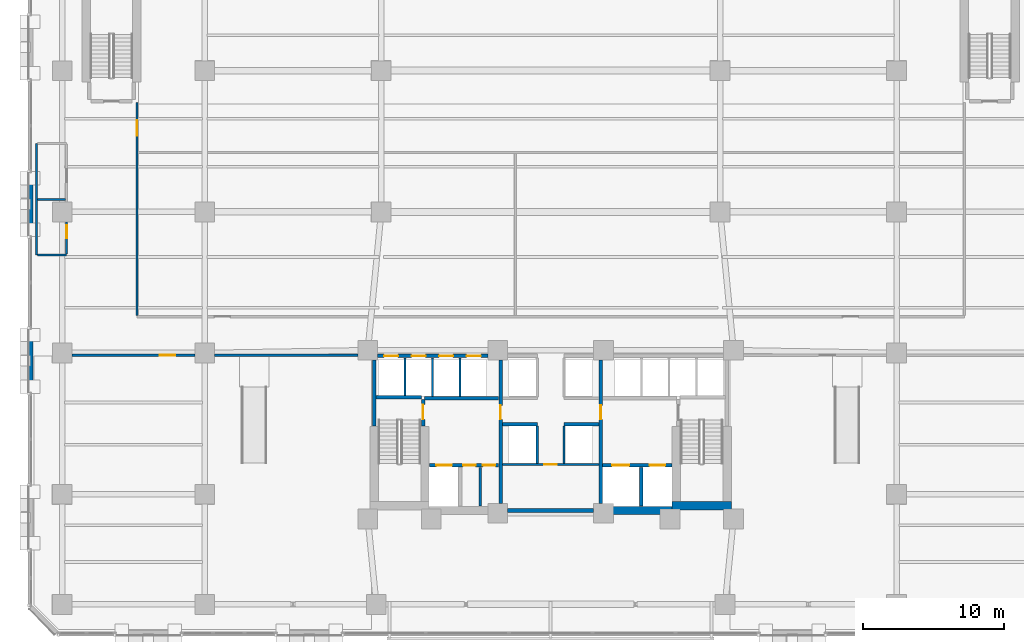
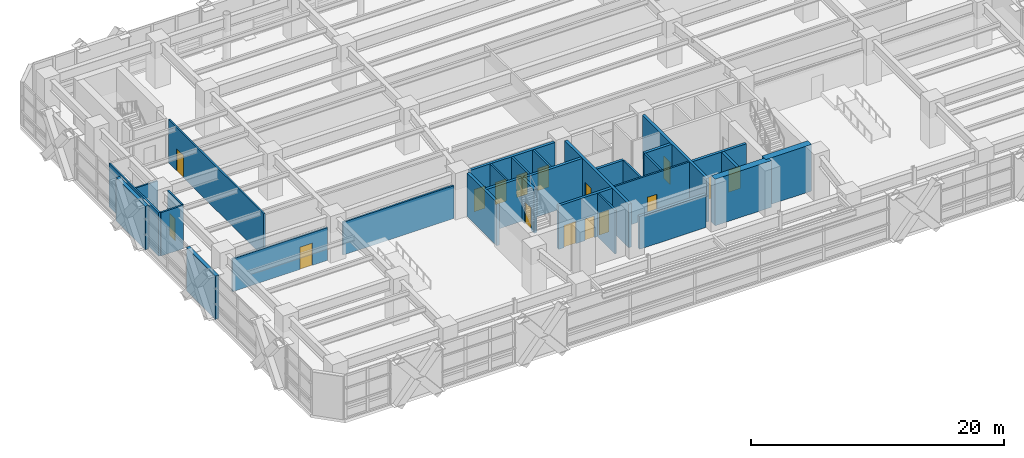
# One storey, part 17 of 30: 31 walls, 16 doors, 16 openings.
"""IFC4 building model written with IfcOpenShell, lengths in metres."""

from ifc_helpers import new_model, si_unit, direction, frame, frame_2d, origin, place, context, subcontext, project, spatial, rectangle, extrude, material, layer, layer_set, type_object, element, fill, save


model = new_model("IFC4")

# Units and contexts
model_context = context("Model", 3, precision=1e-05, world=origin(), true_north=direction((0.0, 1.0)))
body_context = subcontext(model_context, "Body", "Model", "MODEL_VIEW")
ifc_project = project(units=[si_unit("LENGTHUNIT", "METRE"), si_unit("AREAUNIT", "SQUARE_METRE"), si_unit("VOLUMEUNIT", "CUBIC_METRE"), si_unit("PLANEANGLEUNIT", "RADIAN"), si_unit("MASSUNIT", "GRAM", prefix="KILO")], contexts=[model_context])

# Site, building, storey
site_placement = place(None, origin())
site = spatial("IfcSite", under=ifc_project, at=site_placement, CompositionType="ELEMENT")
building_placement = place(site_placement, origin())
building = spatial("IfcBuilding", under=site, at=building_placement, Name="Quenlor Broadcast Tower", CompositionType="ELEMENT")
storey_placement = place(building_placement, frame((0.0, 0.0, 9.5)))
storey = spatial("IfcBuildingStorey", under=building, at=storey_placement, Name="L02", CompositionType="ELEMENT", Elevation=9.5)

# Wall, opening, door
ifc_material_1 = material(Name="Acoustic Double Stud Gypsum Partition", Category="other")
ifc_layer_1 = layer(ifc_material_1, 0.14990234375)
ifc_layer_set_1 = layer_set([ifc_layer_1], Name="Broadcast Studio Acoustic Partition 150")
wall_type_1 = type_object("IfcWallType", Name="Broadcast Studio Acoustic Partition 150", PredefinedType="PARTITIONING", material=ifc_layer_set_1)
wall_1_placement = place(storey_placement, frame((-29.300048828125, -2.337890625, 0.0), z_axis=(0.0, 0.0, 1.0), x_axis=(0.0, 1.0, 0.0)))
wall_1 = element("IfcWall", 1, at=wall_1_placement, inside=storey, type_object=wall_type_1, Name="L02 Interior Wall PW-PD-LW", PredefinedType="PARTITIONING", context=body_context, shape_type="SweptSolid", body=[
    extrude(rectangle(XDim=15.087890625, YDim=0.14990234375, at=frame_2d((7.5439453125, 0.0))), origin(), (0.0, 0.0, 1.0), 4.199951171875),
])
opening_1_placement = place(wall_1_placement, frame((12.738037109375, 0.0, 0.0)))
opening_1 = element("IfcOpeningElement", 2, at=opening_1_placement, cuts=wall_1, Name="Opening ID-2", PredefinedType="OPENING", context=body_context, shape_type="SweptSolid", body=[
    extrude(rectangle(XDim=1.10009765625, YDim=2.14990234375, at=frame_2d((0.550048828125, 1.074951171875))), frame((0.0, 0.0849609375, 0.0), z_axis=(0.0, -1.0, 0.0), x_axis=(1.0, 0.0, 0.0)), (0.0, 0.0, 1.0), 0.169921875),
])
ifc_material_2 = material(Name="Acoustic Laminated Timber Oak", Category="wood")
door_type_1 = type_object("IfcDoorType", Name="Wide Studio Acoustic Timber Door 1100x2150", OperationType="NOTDEFINED", PredefinedType="DOOR", material=ifc_material_2)
door_1_placement = place(opening_1_placement, origin())
door_1 = element("IfcDoor", 3, at=door_1_placement, inside=storey, type_object=door_type_1, Name="L02 Door DR-PD5", OperationType="SINGLE_SWING_LEFT", OverallHeight=2.14990234375, OverallWidth=1.10009765625, PredefinedType="DOOR", context=body_context, shape_type="SweptSolid", body=[
    extrude(rectangle(XDim=1.10009765625, YDim=2.14990234375, at=frame_2d((0.550048828125, 1.074951171875))), frame((0.0, 0.02490234375, 0.0), z_axis=(0.0, -1.0, 0.0), x_axis=(1.0, 0.0, 0.0)), (0.0, 0.0, 1.0), 0.050048828125),
])
fill(opening_1, door_1)

# Wall
wall_2_placement = place(storey_placement, frame((-36.419921875, 1.949951171875, 0.0), z_axis=(0.0, 0.0, 1.0), x_axis=(0.0, 1.0, 0.0)))
element("IfcWall", 4, at=wall_2_placement, inside=storey, type_object=wall_type_1, Name="L02 Interior Wall PW-PD-WCW", PredefinedType="PARTITIONING", context=body_context, shape_type="SweptSolid", body=[
    extrude(rectangle(XDim=7.900146484375, YDim=0.14990234375, at=frame_2d((3.9501953125, 0.0))), origin(), (0.0, 0.0, 1.0), 4.199951171875),
])

# Wall, opening, door
wall_3_placement = place(storey_placement, frame((-34.280029296875, 2.010009765625, 0.0), z_axis=(0.0, 0.0, 1.0), x_axis=(0.0, 1.0, 0.0)))
wall_3 = element("IfcWall", 5, at=wall_3_placement, inside=storey, type_object=wall_type_1, Name="L02 Interior Wall PW-PD-WCE", PredefinedType="PARTITIONING", context=body_context, shape_type="SweptSolid", body=[
    extrude(rectangle(XDim=2.2880859375, YDim=0.14990234375, at=frame_2d((1.14404296875, 0.0))), origin(), (0.0, 0.0, 1.0), 4.199951171875),
])
opening_2_placement = place(wall_3_placement, frame((1.139892578125, 0.0, 0.0)))
opening_2 = element("IfcOpeningElement", 6, at=opening_2_placement, cuts=wall_3, Name="Opening ID-3", PredefinedType="OPENING", context=body_context, shape_type="SweptSolid", body=[
    extrude(rectangle(XDim=0.89990234375, YDim=2.1201171875, at=frame_2d((0.449951171875, 1.06005859375))), frame((0.0, 0.0849609375, 0.0), z_axis=(0.0, -1.0, 0.0), x_axis=(1.0, 0.0, 0.0)), (0.0, 0.0, 1.0), 0.169921875),
])
ifc_material_3 = material(Name="Moisture Resistant Timber Oak", Category="wood")
door_type_2 = type_object("IfcDoorType", Name="Washroom Privacy Door 900x2120", OperationType="NOTDEFINED", PredefinedType="DOOR", material=ifc_material_3)
door_2_placement = place(opening_2_placement, origin())
door_2 = element("IfcDoor", 7, at=door_2_placement, inside=storey, type_object=door_type_2, Name="L02 Door DR-PD-MWC", OperationType="SINGLE_SWING_LEFT", OverallHeight=2.1201171875, OverallWidth=0.89990234375, PredefinedType="DOOR", context=body_context, shape_type="SweptSolid", body=[
    extrude(rectangle(XDim=0.89990234375, YDim=2.1201171875, at=frame_2d((0.449951171875, 1.06005859375))), frame((0.0, 0.02490234375, 0.0), z_axis=(0.0, -1.0, 0.0), x_axis=(1.0, 0.0, 0.0)), (0.0, 0.0, 1.0), 0.050048828125),
])
fill(opening_2, door_2)

# Walls
wall_4_placement = place(storey_placement, frame((-36.343017578125, 5.8798828125, 0.0), z_axis=(0.0, 0.0, 1.0), x_axis=(1.0, 0.0, 0.0)))
element("IfcWall", 8, at=wall_4_placement, inside=storey, type_object=wall_type_1, Name="L02 Interior Wall PW-PD-WCM", PredefinedType="PARTITIONING", context=body_context, shape_type="SweptSolid", body=[
    extrude(rectangle(XDim=1.986083984375, YDim=0.14990234375, at=frame_2d((0.9931640625, 0.0))), origin(), (0.0, 0.0, 1.0), 4.199951171875),
])
wall_5_placement = place(storey_placement, frame((-36.343017578125, 1.949951171875, 0.0), z_axis=(0.0, 0.0, 1.0), x_axis=(1.0, 0.0, 0.0)))
element("IfcWall", 9, at=wall_5_placement, inside=storey, type_object=wall_type_1, Name="L02 Interior Wall PW-PD-WCS", PredefinedType="PARTITIONING", context=body_context, shape_type="SweptSolid", body=[
    extrude(rectangle(XDim=2.06298828125, YDim=0.14990234375, at=frame_2d((1.031494140625, 0.0))), origin(), (0.0, 0.0, 1.0), 4.199951171875),
])
ifc_material_4 = material(Name="Concrete C65/80", Category="concrete")
ifc_layer_2 = layer(ifc_material_4, 0.60009765625)
ifc_layer_set_2 = layer_set([ifc_layer_2], Name="Core Concrete C65/80 Shear Wall 600")
wall_type_2 = type_object("IfcWallType", Name="Core Concrete C65/80 Shear Wall 600", PredefinedType="SHEAR", material=ifc_layer_set_2)
wall_6_placement = place(storey_placement, frame((3.75, -16.14990234375, 0.0), z_axis=(0.0, 0.0, 1.0), x_axis=(1.0, 0.0, 0.0)))
element("IfcWall", 10, at=wall_6_placement, inside=storey, type_object=wall_type_2, Name="L02 Core Shear Wall WS-E1", PredefinedType="SHEAR", context=body_context, shape_type="SweptSolid", body=[
    extrude(rectangle(XDim=5.14990234375, YDim=0.60009765625, at=frame_2d((2.574951171875, 0.0))), origin(), (0.0, 0.0, 1.0), 4.5),
])
wall_7_placement = place(storey_placement, frame((8.60009765625, -15.800048828125, 0.0), z_axis=(0.0, 0.0, 1.0), x_axis=(1.0, 0.0, 0.0)))
element("IfcWall", 11, at=wall_7_placement, inside=storey, type_object=wall_type_2, Name="L02 Core Shear Wall WS-E2", PredefinedType="SHEAR", context=body_context, shape_type="SweptSolid", body=[
    extrude(rectangle(XDim=4.199951171875, YDim=0.60009765625, at=frame_2d((2.10009765625, 0.0))), origin(), (0.0, 0.0, 1.0), 4.5),
])

# Wall, opening, door
ifc_material_5 = material(Name="Concrete C40/50", Category="concrete")
ifc_layer_3 = layer(ifc_material_5, 0.25)
ifc_layer_set_3 = layer_set([ifc_layer_3], Name="Fire Rated Concrete C40/50 Core Wall 250")
wall_type_3 = type_object("IfcWallType", Name="Fire Rated Concrete C40/50 Core Wall 250", PredefinedType="PARTITIONING", material=ifc_layer_set_3)
wall_8_placement = place(storey_placement, frame((-9.0400390625, -10.179931640625, 0.0), z_axis=(0.0, 0.0, 1.0), x_axis=(0.0, 1.0, 0.0)))
wall_8 = element("IfcWall", 12, at=wall_8_placement, inside=storey, type_object=wall_type_3, Name="L02 Interior Wall CW-ST1-DR", PredefinedType="PARTITIONING", context=body_context, shape_type="SweptSolid", body=[
    extrude(rectangle(XDim=1.89990234375, YDim=0.25, at=frame_2d((0.949951171875, 0.0))), origin(), (0.0, 0.0, 1.0), 4.199951171875),
])
opening_3_placement = place(wall_8_placement, frame((0.47998046875, 0.0, 0.0)))
opening_3 = element("IfcOpeningElement", 13, at=opening_3_placement, cuts=wall_8, Name="Opening FD-1", PredefinedType="OPENING", context=body_context, shape_type="SweptSolid", body=[
    extrude(rectangle(XDim=1.050048828125, YDim=2.14990234375, at=frame_2d((0.52490234375, 1.074951171875))), frame((0.0, 0.135009765625, 0.0), z_axis=(0.0, -1.0, 0.0), x_axis=(1.0, 0.0, 0.0)), (0.0, 0.0, 1.0), 0.27001953125),
])
ifc_material_6 = material(Name="Fire Rated Steel Door Leaf", Category="steel")
door_type_3 = type_object("IfcDoorType", Name="Fire Isolated Stair Door 1050x2150", OperationType="NOTDEFINED", PredefinedType="DOOR", material=ifc_material_6)
door_3_placement = place(opening_3_placement, origin())
door_3 = element("IfcDoor", 14, at=door_3_placement, inside=storey, type_object=door_type_3, Name="L02 Door DR-ST1", OperationType="SINGLE_SWING_LEFT", OverallHeight=2.14990234375, OverallWidth=1.050048828125, PredefinedType="DOOR", context=body_context, shape_type="SweptSolid", body=[
    extrude(rectangle(XDim=1.050048828125, YDim=2.14990234375, at=frame_2d((0.52490234375, 1.074951171875))), frame((0.0, 0.02490234375, 0.0), z_axis=(0.0, -1.0, 0.0), x_axis=(1.0, 0.0, 0.0)), (0.0, 0.0, 1.0), 0.050048828125),
])
fill(opening_3, door_3)

# Walls
wall_9_placement = place(storey_placement, frame((-12.3798828125, -8.1201171875, 0.0), z_axis=(0.0, 0.0, 1.0), x_axis=(1.0, 0.0, 0.0)))
element("IfcWall", 15, at=wall_9_placement, inside=storey, type_object=wall_type_3, Name="L02 Interior Wall CW-ST1-N", PredefinedType="PARTITIONING", context=body_context, shape_type="SweptSolid", body=[
    extrude(rectangle(XDim=3.219970703125, YDim=0.25, at=frame_2d((1.60986328125, 0.0))), origin(), (0.0, 0.0, 1.0), 4.199951171875),
])
wall_10_placement = place(storey_placement, frame((-12.47998046875, -10.179931640625, 0.0), z_axis=(0.0, 0.0, 1.0), x_axis=(0.0, 1.0, 0.0)))
element("IfcWall", 16, at=wall_10_placement, inside=storey, type_object=wall_type_3, Name="L02 Interior Wall CW-ST1-W2", PredefinedType="PARTITIONING", context=body_context, shape_type="SweptSolid", body=[
    extrude(rectangle(XDim=4.677978515625, YDim=0.25, at=frame_2d((2.3388671875, 0.0))), origin(), (0.0, 0.0, 1.0), 4.199951171875),
])

# Wall, openings, doors
wall_11_placement = place(storey_placement, frame((-8.597900390625, -12.949951171875, 0.0), z_axis=(0.0, 0.0, 1.0), x_axis=(1.0, 0.0, 0.0)))
wall_11 = element("IfcWall", 17, at=wall_11_placement, inside=storey, type_object=wall_type_3, Name="L02 Interior Wall CW-FFW-S", PredefinedType="PARTITIONING", context=body_context, shape_type="SweptSolid", body=[
    extrude(rectangle(XDim=4.91796875, YDim=0.25, at=frame_2d((2.458984375, 0.0))), origin(), (0.0, 0.0, 1.0), 4.199951171875),
])
opening_4_placement = place(wall_11_placement, frame((0.498046875, 0.0, 0.0)))
opening_4 = element("IfcOpeningElement", 18, at=opening_4_placement, cuts=wall_11, Name="Opening LD-FFL-1", PredefinedType="OPENING", context=body_context, shape_type="SweptSolid", body=[
    extrude(rectangle(XDim=1.10009765625, YDim=2.14990234375, at=frame_2d((0.550048828125, 1.074951171875))), frame((0.0, 0.135009765625, 0.0), z_axis=(0.0, -1.0, 0.0), x_axis=(1.0, 0.0, 0.0)), (0.0, 0.0, 1.0), 0.27001953125),
])
opening_5_placement = place(wall_11_placement, frame((2.39794921875, 0.0, 0.0)))
opening_5 = element("IfcOpeningElement", 19, at=opening_5_placement, cuts=wall_11, Name="Opening TD-1", PredefinedType="OPENING", context=body_context, shape_type="SweptSolid", body=[
    extrude(rectangle(XDim=0.8798828125, YDim=2.10009765625, at=frame_2d((0.43994140625, 1.050048828125))), frame((0.0, 0.135009765625, 0.0), z_axis=(0.0, -1.0, 0.0), x_axis=(1.0, 0.0, 0.0)), (0.0, 0.0, 1.0), 0.27001953125),
])
opening_6_placement = place(wall_11_placement, frame((3.798095703125, 0.0, 0.0)))
opening_6 = element("IfcOpeningElement", 20, at=opening_6_placement, cuts=wall_11, Name="Opening TD-1", PredefinedType="OPENING", context=body_context, shape_type="SweptSolid", body=[
    extrude(rectangle(XDim=0.8798828125, YDim=2.10009765625, at=frame_2d((0.43994140625, 1.050048828125))), frame((0.0, 0.135009765625, 0.0), z_axis=(0.0, -1.0, 0.0), x_axis=(1.0, 0.0, 0.0)), (0.0, 0.0, 1.0), 0.27001953125),
])
ifc_material_7 = material(Name="Brushed Stainless Steel", Category="steel")
door_type_4 = type_object("IfcDoorType", Name="Emergency Lift Sliding Landing Door 1100x2150", OperationType="NOTDEFINED", PredefinedType="DOOR", material=ifc_material_7)
door_4_placement = place(opening_4_placement, origin())
door_4 = element("IfcDoor", 21, at=door_4_placement, inside=storey, type_object=door_type_4, Name="L02 Door LD-FFL-1", OperationType="SLIDING_TO_LEFT", OverallHeight=2.14990234375, OverallWidth=1.10009765625, PredefinedType="DOOR", context=body_context, shape_type="SweptSolid", body=[
    extrude(rectangle(XDim=1.10009765625, YDim=2.14990234375, at=frame_2d((0.550048828125, 1.074951171875))), frame((0.0, 0.02490234375, 0.0), z_axis=(0.0, -1.0, 0.0), x_axis=(1.0, 0.0, 0.0)), (0.0, 0.0, 1.0), 0.050048828125),
])
fill(opening_4, door_4)
ifc_material_8 = material(Name="Fire Rated Steel Access Panel", Category="steel")
door_type_5 = type_object("IfcDoorType", Name="Riser Shaft Rated Access Trapdoor 880x2100", OperationType="NOTDEFINED", PredefinedType="TRAPDOOR", material=ifc_material_8)
door_5_placement = place(opening_5_placement, origin())
door_5 = element("IfcDoor", 22, at=door_5_placement, inside=storey, type_object=door_type_5, Name="L02 Door DR-ELR", OperationType="SINGLE_SWING_LEFT", OverallHeight=2.10009765625, OverallWidth=0.8798828125, PredefinedType="TRAPDOOR", context=body_context, shape_type="SweptSolid", body=[
    extrude(rectangle(XDim=0.8798828125, YDim=2.10009765625, at=frame_2d((0.43994140625, 1.050048828125))), frame((0.0, 0.02490234375, 0.0), z_axis=(0.0, -1.0, 0.0), x_axis=(1.0, 0.0, 0.0)), (0.0, 0.0, 1.0), 0.050048828125),
])
fill(opening_5, door_5)
door_6_placement = place(opening_6_placement, origin())
door_6 = element("IfcDoor", 23, at=door_6_placement, inside=storey, type_object=door_type_5, Name="L02 Door DR-CMR", OperationType="SINGLE_SWING_RIGHT", OverallHeight=2.10009765625, OverallWidth=0.8798828125, PredefinedType="TRAPDOOR", context=body_context, shape_type="SweptSolid", body=[
    extrude(rectangle(XDim=0.8798828125, YDim=2.10009765625, at=frame_2d((0.43994140625, 1.050048828125))), frame((0.0, 0.02490234375, 0.0), z_axis=(0.0, -1.0, 0.0), x_axis=(1.0, 0.0, 0.0)), (0.0, 0.0, 1.0), 0.050048828125),
])
fill(opening_6, door_6)

wall_12_placement = place(storey_placement, frame((3.679931640625, -12.949951171875, 0.0), z_axis=(0.0, 0.0, 1.0), x_axis=(1.0, 0.0, 0.0)))
wall_12 = element("IfcWall", 24, at=wall_12_placement, inside=storey, type_object=wall_type_3, Name="L02 Interior Wall CW-FFE-S", PredefinedType="PARTITIONING", context=body_context, shape_type="SweptSolid", body=[
    extrude(rectangle(XDim=4.91796875, YDim=0.25, at=frame_2d((2.458984375, 0.0))), origin(), (0.0, 0.0, 1.0), 4.199951171875),
])
opening_7_placement = place(wall_12_placement, frame((3.320068359375, 0.0, 0.0)))
opening_7 = element("IfcOpeningElement", 25, at=opening_7_placement, cuts=wall_12, Name="Opening LD-FFL-2", PredefinedType="OPENING", context=body_context, shape_type="SweptSolid", body=[
    extrude(rectangle(XDim=1.10009765625, YDim=2.14990234375, at=frame_2d((0.550048828125, 1.074951171875))), frame((0.0, 0.135009765625, 0.0), z_axis=(0.0, -1.0, 0.0), x_axis=(1.0, 0.0, 0.0)), (0.0, 0.0, 1.0), 0.27001953125),
])
opening_8_placement = place(wall_12_placement, frame((0.669921875, 0.0, 0.0)))
opening_8 = element("IfcOpeningElement", 26, at=opening_8_placement, cuts=wall_12, Name="Opening LD-SVL-1", PredefinedType="OPENING", context=body_context, shape_type="SweptSolid", body=[
    extrude(rectangle(XDim=1.199951171875, YDim=2.14990234375, at=frame_2d((0.60009765625, 1.074951171875))), frame((0.0, 0.135009765625, 0.0), z_axis=(0.0, -1.0, 0.0), x_axis=(1.0, 0.0, 0.0)), (0.0, 0.0, 1.0), 0.27001953125),
])
door_7_placement = place(opening_7_placement, origin())
door_7 = element("IfcDoor", 27, at=door_7_placement, inside=storey, type_object=door_type_4, Name="L02 Door LD-FFL-2", OperationType="SLIDING_TO_RIGHT", OverallHeight=2.14990234375, OverallWidth=1.10009765625, PredefinedType="DOOR", context=body_context, shape_type="SweptSolid", body=[
    extrude(rectangle(XDim=1.10009765625, YDim=2.14990234375, at=frame_2d((0.550048828125, 1.074951171875))), frame((0.0, 0.02490234375, 0.0), z_axis=(0.0, -1.0, 0.0), x_axis=(1.0, 0.0, 0.0)), (0.0, 0.0, 1.0), 0.050048828125),
])
fill(opening_7, door_7)
ifc_material_9 = material(Name="Brushed Stainless Steel", Category="steel")
door_type_6 = type_object("IfcDoorType", Name="Goods Lift Sliding Landing Door 1200x2150", OperationType="NOTDEFINED", PredefinedType="DOOR", material=ifc_material_9)
door_8_placement = place(opening_8_placement, origin())
door_8 = element("IfcDoor", 28, at=door_8_placement, inside=storey, type_object=door_type_6, Name="L02 Door LD-SVL-1", OperationType="SLIDING_TO_LEFT", OverallHeight=2.14990234375, OverallWidth=1.199951171875, PredefinedType="DOOR", context=body_context, shape_type="SweptSolid", body=[
    extrude(rectangle(XDim=1.199951171875, YDim=2.14990234375, at=frame_2d((0.60009765625, 1.074951171875))), frame((0.0, 0.02490234375, 0.0), z_axis=(0.0, -1.0, 0.0), x_axis=(1.0, 0.0, 0.0)), (0.0, 0.0, 1.0), 0.050048828125),
])
fill(opening_8, door_8)

# Walls
wall_13_placement = place(storey_placement, frame((6.39990234375, -15.847900390625, 0.0), z_axis=(0.0, 0.0, 1.0), x_axis=(0.0, 1.0, 0.0)))
element("IfcWall", 29, at=wall_13_placement, inside=storey, type_object=wall_type_3, Name="L02 Interior Wall CW-SV1-E", PredefinedType="PARTITIONING", context=body_context, shape_type="SweptSolid", body=[
    extrude(rectangle(XDim=2.7578125, YDim=0.25, at=frame_2d((1.37890625, 0.0))), origin(), (0.0, 0.0, 1.0), 4.199951171875),
])
wall_14_placement = place(storey_placement, frame((-8.919921875, -8.199951171875, 0.0), z_axis=(0.0, 0.0, 1.0), x_axis=(1.0, 0.0, 0.0)))
element("IfcWall", 30, at=wall_14_placement, inside=storey, type_object=wall_type_3, Name="L02 Interior Wall CW-FFW-N", PredefinedType="PARTITIONING", context=body_context, shape_type="SweptSolid", body=[
    extrude(rectangle(XDim=5.239990234375, YDim=0.25, at=frame_2d((2.6201171875, 0.0))), origin(), (0.0, 0.0, 1.0), 4.199951171875),
])

# Wall, opening, door
wall_15_placement = place(storey_placement, frame((-3.550048828125, -15.64794921875, 0.0), z_axis=(0.0, 0.0, 1.0), x_axis=(0.0, 1.0, 0.0)))
wall_15 = element("IfcWall", 31, at=wall_15_placement, inside=storey, type_object=wall_type_3, Name="L02 Interior Wall CW-FFW-E", PredefinedType="PARTITIONING", context=body_context, shape_type="SweptSolid", body=[
    extrude(rectangle(XDim=10.14599609375, YDim=0.25, at=frame_2d((5.072998046875, 0.0))), origin(), (0.0, 0.0, 1.0), 4.199951171875),
])
opening_9_placement = place(wall_15_placement, frame((5.947998046875, 0.0, 0.0)))
opening_9 = element("IfcOpeningElement", 32, at=opening_9_placement, cuts=wall_15, Name="Opening FD-2", PredefinedType="OPENING", context=body_context, shape_type="SweptSolid", body=[
    extrude(rectangle(XDim=1.0, YDim=2.14990234375, at=frame_2d((0.5, 1.074951171875))), frame((0.0, 0.135009765625, 0.0), z_axis=(0.0, -1.0, 0.0), x_axis=(1.0, 0.0, 0.0)), (0.0, 0.0, 1.0), 0.27001953125),
])
ifc_material_10 = material(Name="Fire Rated Glazed Steel Door", Category="steel")
door_type_7 = type_object("IfcDoorType", Name="Firefighting Lobby Smoke Door 1000x2150", OperationType="NOTDEFINED", PredefinedType="DOOR", material=ifc_material_10)
door_9_placement = place(opening_9_placement, origin())
door_9 = element("IfcDoor", 33, at=door_9_placement, inside=storey, type_object=door_type_7, Name="L02 Door DR-FFLW", OperationType="SINGLE_SWING_RIGHT", OverallHeight=2.14990234375, OverallWidth=1.0, PredefinedType="DOOR", context=body_context, shape_type="SweptSolid", body=[
    extrude(rectangle(XDim=1.0, YDim=2.14990234375, at=frame_2d((0.5, 1.074951171875))), frame((0.0, 0.02490234375, 0.0), z_axis=(0.0, -1.0, 0.0), x_axis=(1.0, 0.0, 0.0)), (0.0, 0.0, 1.0), 0.050048828125),
])
fill(opening_9, door_9)

wall_16_placement = place(storey_placement, frame((3.550048828125, -15.64794921875, 0.0), z_axis=(0.0, 0.0, 1.0), x_axis=(0.0, 1.0, 0.0)))
wall_16 = element("IfcWall", 34, at=wall_16_placement, inside=storey, type_object=wall_type_3, Name="L02 Interior Wall CW-FFE-W", PredefinedType="PARTITIONING", context=body_context, shape_type="SweptSolid", body=[
    extrude(rectangle(XDim=10.14599609375, YDim=0.25, at=frame_2d((5.072998046875, 0.0))), origin(), (0.0, 0.0, 1.0), 4.199951171875),
])
opening_10_placement = place(wall_16_placement, frame((5.947998046875, 0.0, 0.0)))
opening_10 = element("IfcOpeningElement", 35, at=opening_10_placement, cuts=wall_16, Name="Opening FD-2", PredefinedType="OPENING", context=body_context, shape_type="SweptSolid", body=[
    extrude(rectangle(XDim=1.0, YDim=2.14990234375, at=frame_2d((0.5, 1.074951171875))), frame((0.0, 0.135009765625, 0.0), z_axis=(0.0, -1.0, 0.0), x_axis=(1.0, 0.0, 0.0)), (0.0, 0.0, 1.0), 0.27001953125),
])
door_10_placement = place(opening_10_placement, origin())
door_10 = element("IfcDoor", 36, at=door_10_placement, inside=storey, type_object=door_type_7, Name="L02 Door DR-FFLE", OperationType="SINGLE_SWING_LEFT", OverallHeight=2.14990234375, OverallWidth=1.0, PredefinedType="DOOR", context=body_context, shape_type="SweptSolid", body=[
    extrude(rectangle(XDim=1.0, YDim=2.14990234375, at=frame_2d((0.5, 1.074951171875))), frame((0.0, 0.02490234375, 0.0), z_axis=(0.0, -1.0, 0.0), x_axis=(1.0, 0.0, 0.0)), (0.0, 0.0, 1.0), 0.050048828125),
])
fill(opening_10, door_10)

# Wall, openings, doors
wall_17_placement = place(storey_placement, frame((-12.248046875, -5.199951171875, 0.0), z_axis=(0.0, 0.0, 1.0), x_axis=(1.0, 0.0, 0.0)))
wall_17 = element("IfcWall", 37, at=wall_17_placement, inside=storey, type_object=wall_type_3, Name="L02 Interior Wall CW-N-W", PredefinedType="PARTITIONING", context=body_context, shape_type="SweptSolid", body=[
    extrude(rectangle(XDim=7.796142578125, YDim=0.25, at=frame_2d((3.89794921875, 0.0))), origin(), (0.0, 0.0, 1.0), 4.199951171875),
])
opening_11_placement = place(wall_17_placement, frame((0.447998046875, 0.0, 0.0)))
opening_11 = element("IfcOpeningElement", 38, at=opening_11_placement, cuts=wall_17, Name="Opening LD-PL-L1", PredefinedType="OPENING", context=body_context, shape_type="SweptSolid", body=[
    extrude(rectangle(XDim=1.0, YDim=2.14990234375, at=frame_2d((0.5, 1.074951171875))), frame((0.0, 0.135009765625, 0.0), z_axis=(0.0, -1.0, 0.0), x_axis=(1.0, 0.0, 0.0)), (0.0, 0.0, 1.0), 0.27001953125),
])
opening_12_placement = place(wall_17_placement, frame((2.39794921875, 0.0, 0.0)))
opening_12 = element("IfcOpeningElement", 39, at=opening_12_placement, cuts=wall_17, Name="Opening LD-PL-L2", PredefinedType="OPENING", context=body_context, shape_type="SweptSolid", body=[
    extrude(rectangle(XDim=1.0, YDim=2.14990234375, at=frame_2d((0.5, 1.074951171875))), frame((0.0, 0.135009765625, 0.0), z_axis=(0.0, -1.0, 0.0), x_axis=(1.0, 0.0, 0.0)), (0.0, 0.0, 1.0), 0.27001953125),
])
opening_13_placement = place(wall_17_placement, frame((4.347900390625, 0.0, 0.0)))
opening_13 = element("IfcOpeningElement", 40, at=opening_13_placement, cuts=wall_17, Name="Opening LD-PL-L3", PredefinedType="OPENING", context=body_context, shape_type="SweptSolid", body=[
    extrude(rectangle(XDim=1.0, YDim=2.14990234375, at=frame_2d((0.5, 1.074951171875))), frame((0.0, 0.135009765625, 0.0), z_axis=(0.0, -1.0, 0.0), x_axis=(1.0, 0.0, 0.0)), (0.0, 0.0, 1.0), 0.27001953125),
])
opening_14_placement = place(wall_17_placement, frame((6.298095703125, 0.0, 0.0)))
opening_14 = element("IfcOpeningElement", 41, at=opening_14_placement, cuts=wall_17, Name="Opening LD-PL-L4", PredefinedType="OPENING", context=body_context, shape_type="SweptSolid", body=[
    extrude(rectangle(XDim=1.0, YDim=2.14990234375, at=frame_2d((0.5, 1.074951171875))), frame((0.0, 0.135009765625, 0.0), z_axis=(0.0, -1.0, 0.0), x_axis=(1.0, 0.0, 0.0)), (0.0, 0.0, 1.0), 0.27001953125),
])
ifc_material_11 = material(Name="Brushed Stainless Steel", Category="steel")
door_type_8 = type_object("IfcDoorType", Name="Passenger Lift Sliding Landing Door 1000x2150", OperationType="NOTDEFINED", PredefinedType="DOOR", material=ifc_material_11)
door_11_placement = place(opening_11_placement, origin())
door_11 = element("IfcDoor", 42, at=door_11_placement, inside=storey, type_object=door_type_8, Name="L02 Door LD-PL-L1", OperationType="SLIDING_TO_LEFT", OverallHeight=2.14990234375, OverallWidth=1.0, PredefinedType="DOOR", context=body_context, shape_type="SweptSolid", body=[
    extrude(rectangle(XDim=1.0, YDim=2.14990234375, at=frame_2d((0.5, 1.074951171875))), frame((0.0, 0.02490234375, 0.0), z_axis=(0.0, -1.0, 0.0), x_axis=(1.0, 0.0, 0.0)), (0.0, 0.0, 1.0), 0.050048828125),
])
fill(opening_11, door_11)
door_12_placement = place(opening_12_placement, origin())
door_12 = element("IfcDoor", 43, at=door_12_placement, inside=storey, type_object=door_type_8, Name="L02 Door LD-PL-L2", OperationType="SLIDING_TO_LEFT", OverallHeight=2.14990234375, OverallWidth=1.0, PredefinedType="DOOR", context=body_context, shape_type="SweptSolid", body=[
    extrude(rectangle(XDim=1.0, YDim=2.14990234375, at=frame_2d((0.5, 1.074951171875))), frame((0.0, 0.02490234375, 0.0), z_axis=(0.0, -1.0, 0.0), x_axis=(1.0, 0.0, 0.0)), (0.0, 0.0, 1.0), 0.050048828125),
])
fill(opening_12, door_12)
door_13_placement = place(opening_13_placement, origin())
door_13 = element("IfcDoor", 44, at=door_13_placement, inside=storey, type_object=door_type_8, Name="L02 Door LD-PL-L3", OperationType="SLIDING_TO_LEFT", OverallHeight=2.14990234375, OverallWidth=1.0, PredefinedType="DOOR", context=body_context, shape_type="SweptSolid", body=[
    extrude(rectangle(XDim=1.0, YDim=2.14990234375, at=frame_2d((0.5, 1.074951171875))), frame((0.0, 0.02490234375, 0.0), z_axis=(0.0, -1.0, 0.0), x_axis=(1.0, 0.0, 0.0)), (0.0, 0.0, 1.0), 0.050048828125),
])
fill(opening_13, door_13)
door_14_placement = place(opening_14_placement, origin())
door_14 = element("IfcDoor", 45, at=door_14_placement, inside=storey, type_object=door_type_8, Name="L02 Door LD-PL-L4", OperationType="SLIDING_TO_LEFT", OverallHeight=2.14990234375, OverallWidth=1.0, PredefinedType="DOOR", context=body_context, shape_type="SweptSolid", body=[
    extrude(rectangle(XDim=1.0, YDim=2.14990234375, at=frame_2d((0.5, 1.074951171875))), frame((0.0, 0.02490234375, 0.0), z_axis=(0.0, -1.0, 0.0), x_axis=(1.0, 0.0, 0.0)), (0.0, 0.0, 1.0), 0.050048828125),
])
fill(opening_14, door_14)

# Walls
wall_18_placement = place(storey_placement, frame((-3.048095703125, -16.14990234375, 0.0), z_axis=(0.0, 0.0, 1.0), x_axis=(1.0, 0.0, 0.0)))
element("IfcWall", 46, at=wall_18_placement, inside=storey, type_object=wall_type_3, Name="L02 Interior Wall CW-MS-S", PredefinedType="PARTITIONING", context=body_context, shape_type="SweptSolid", body=[
    extrude(rectangle(XDim=6.09619140625, YDim=0.25, at=frame_2d((3.048095703125, 0.0))), origin(), (0.0, 0.0, 1.0), 3.176025390625),
])
for number, where, z_axis, x_axis, name in (
    (47, (-3.419921875, -10.050048828125, 0.0), (0.0, 0.0, 1.0), (1.0, 0.0, 0.0), "L02 Interior Wall CW-MS-N1"),
    (48, (0.949951171875, -10.050048828125, 0.0), (0.0, 0.0, 1.0), (1.0, 0.0, 0.0), "L02 Interior Wall CW-MS-N2"),
):
    element("IfcWall", number, at=place(storey_placement, frame(where, z_axis=z_axis, x_axis=x_axis)), inside=storey, type_object=wall_type_3, Name=name, PredefinedType="PARTITIONING", context=body_context, shape_type="SweptSolid", body=[
        extrude(rectangle(XDim=2.469970703125, YDim=0.25, at=frame_2d((1.23486328125, 0.0))), origin(), (0.0, 0.0, 1.0), 4.199951171875),
    ])
ifc_material_12 = material(Name="Gypsum Fireboard Partition", Category="other")
ifc_layer_4 = layer(ifc_material_12, 0.159912109375)
ifc_layer_set_4 = layer_set([ifc_layer_4], Name="Fire Rated Shaft and Corridor Partition 160")
wall_type_4 = type_object("IfcWallType", Name="Fire Rated Shaft and Corridor Partition 160", PredefinedType="PARTITIONING", material=ifc_layer_set_4)
wall_19_placement = place(storey_placement, frame((-4.97998046875, -15.847900390625, 0.0), z_axis=(0.0, 0.0, 1.0), x_axis=(0.0, 1.0, 0.0)))
element("IfcWall", 49, at=wall_19_placement, inside=storey, type_object=wall_type_4, Name="L02 Interior Wall CW-ELR-E", PredefinedType="PARTITIONING", context=body_context, shape_type="SweptSolid", body=[
    extrude(rectangle(XDim=2.7578125, YDim=0.159912109375, at=frame_2d((1.37890625, 0.0))), origin(), (0.0, 0.0, 1.0), 4.199951171875),
])
wall_20_placement = place(storey_placement, frame((-10.324951171875, -7.992919921875, 0.0), z_axis=(0.0, 0.0, 1.0), x_axis=(0.0, 1.0, 0.0)))
element("IfcWall", 50, at=wall_20_placement, inside=storey, type_object=wall_type_4, Name="L02 Interior Wall CW-PLL-D1", PredefinedType="PARTITIONING", context=body_context, shape_type="SweptSolid", body=[
    extrude(rectangle(XDim=2.65283203125, YDim=0.159912109375, at=frame_2d((1.326416015625, 0.0))), origin(), (0.0, 0.0, 1.0), 4.199951171875),
])
for number, where, z_axis, x_axis, name in (
    (51, (-8.375, -8.072998046875, 0.0), (0.0, 0.0, 1.0), (0.0, 1.0, 0.0), "L02 Interior Wall CW-PLL-D2"),
    (52, (-6.425048828125, -8.072998046875, 0.0), (0.0, 0.0, 1.0), (0.0, 1.0, 0.0), "L02 Interior Wall CW-PLL-D3"),
):
    element("IfcWall", number, at=place(storey_placement, frame(where, z_axis=z_axis, x_axis=x_axis)), inside=storey, type_object=wall_type_4, Name=name, PredefinedType="PARTITIONING", context=body_context, shape_type="SweptSolid", body=[
        extrude(rectangle(XDim=2.73291015625, YDim=0.159912109375, at=frame_2d((1.366455078125, 0.0))), origin(), (0.0, 0.0, 1.0), 4.199951171875),
    ])

# Wall, opening, door
wall_21_placement = place(storey_placement, frame((-3.419921875, -12.89990234375, 0.0), z_axis=(0.0, 0.0, 1.0), x_axis=(1.0, 0.0, 0.0)))
wall_21 = element("IfcWall", 53, at=wall_21_placement, inside=storey, type_object=wall_type_4, Name="L02 Interior Wall CW-MS-B", PredefinedType="PARTITIONING", context=body_context, shape_type="SweptSolid", body=[
    extrude(rectangle(XDim=6.83984375, YDim=0.159912109375, at=frame_2d((3.419921875, 0.0))), origin(), (0.0, 0.0, 1.0), 4.199951171875),
])
opening_15_placement = place(wall_21_placement, frame((2.97998046875, 0.0, 0.0)))
opening_15 = element("IfcOpeningElement", 54, at=opening_15_placement, cuts=wall_21, Name="Opening ID-4", PredefinedType="OPENING", context=body_context, shape_type="SweptSolid", body=[
    extrude(rectangle(XDim=0.8798828125, YDim=2.1201171875, at=frame_2d((0.43994140625, 1.06005859375))), frame((0.0, 0.08984375, 0.0), z_axis=(0.0, -1.0, 0.0), x_axis=(1.0, 0.0, 0.0)), (0.0, 0.0, 1.0), 0.179931640625),
])
ifc_material_13 = material(Name="Solid Core Timber Oak", Category="wood")
door_type_9 = type_object("IfcDoorType", Name="Service Closet Timber Door 880x2120", OperationType="NOTDEFINED", PredefinedType="DOOR", material=ifc_material_13)
door_15_placement = place(opening_15_placement, origin())
door_15 = element("IfcDoor", 55, at=door_15_placement, inside=storey, type_object=door_type_9, Name="L02 Door DR-CSV0", OperationType="SINGLE_SWING_LEFT", OverallHeight=2.1201171875, OverallWidth=0.8798828125, PredefinedType="DOOR", context=body_context, shape_type="SweptSolid", body=[
    extrude(rectangle(XDim=0.8798828125, YDim=2.1201171875, at=frame_2d((0.43994140625, 1.06005859375))), frame((0.0, 0.02490234375, 0.0), z_axis=(0.0, -1.0, 0.0), x_axis=(1.0, 0.0, 0.0)), (0.0, 0.0, 1.0), 0.050048828125),
])
fill(opening_15, door_15)

# Walls
for number, where, z_axis, x_axis, name in (
    (56, (-0.949951171875, -12.818115234375, 0.0), (0.0, 0.0, 1.0), (0.0, 1.0, 0.0), "L02 Interior Wall CW-MS-W"),
    (57, (0.949951171875, -12.818115234375, 0.0), (0.0, 0.0, 1.0), (0.0, 1.0, 0.0), "L02 Interior Wall CW-MS-E"),
):
    element("IfcWall", number, at=place(storey_placement, frame(where, z_axis=z_axis, x_axis=x_axis)), inside=storey, type_object=wall_type_4, Name=name, PredefinedType="PARTITIONING", context=body_context, shape_type="SweptSolid", body=[
        extrude(rectangle(XDim=2.63818359375, YDim=0.159912109375, at=frame_2d((1.319091796875, 0.0))), origin(), (0.0, 0.0, 1.0), 4.199951171875),
    ])

# Wall, opening, door
wall_22_placement = place(storey_placement, frame((-33.89794921875, -5.14990234375, 0.0), z_axis=(0.0, 0.0, 1.0), x_axis=(1.0, 0.0, 0.0)))
wall_22 = element("IfcWall", 58, at=wall_22_placement, inside=storey, type_object=wall_type_4, Name="L02 Interior Wall PW-PD-CSW", PredefinedType="PARTITIONING", context=body_context, shape_type="SweptSolid", body=[
    extrude(rectangle(XDim=8.696044921875, YDim=0.159912109375, at=frame_2d((4.34814453125, 0.0))), origin(), (0.0, 0.0, 1.0), 3.176025390625),
])
opening_16_placement = place(wall_22_placement, frame((6.197998046875, 0.0, 0.0)))
opening_16 = element("IfcOpeningElement", 59, at=opening_16_placement, cuts=wall_22, Name="Opening ID-2", PredefinedType="OPENING", context=body_context, shape_type="SweptSolid", body=[
    extrude(rectangle(XDim=1.10009765625, YDim=2.14990234375, at=frame_2d((0.550048828125, 1.074951171875))), frame((0.0, 0.08984375, 0.0), z_axis=(0.0, -1.0, 0.0), x_axis=(1.0, 0.0, 0.0)), (0.0, 0.0, 1.0), 0.179931640625),
])
door_16_placement = place(opening_16_placement, origin())
door_16 = element("IfcDoor", 60, at=door_16_placement, inside=storey, type_object=door_type_1, Name="L02 Door DR-PD1", OperationType="SINGLE_SWING_LEFT", OverallHeight=2.14990234375, OverallWidth=1.10009765625, PredefinedType="DOOR", context=body_context, shape_type="SweptSolid", body=[
    extrude(rectangle(XDim=1.10009765625, YDim=2.14990234375, at=frame_2d((0.550048828125, 1.074951171875))), frame((0.0, 0.02490234375, 0.0), z_axis=(0.0, -1.0, 0.0), x_axis=(1.0, 0.0, 0.0)), (0.0, 0.0, 1.0), 0.050048828125),
])
fill(opening_16, door_16)

# Walls
wall_23_placement = place(storey_placement, frame((-23.798095703125, -5.14990234375, 0.0), z_axis=(0.0, 0.0, 1.0), x_axis=(1.0, 0.0, 0.0)))
element("IfcWall", 61, at=wall_23_placement, inside=storey, type_object=wall_type_4, Name="L02 Interior Wall PW-PD-CSWS2", PredefinedType="PARTITIONING", context=body_context, shape_type="SweptSolid", body=[
    extrude(rectangle(XDim=10.14599609375, YDim=0.159912109375, at=frame_2d((5.072998046875, 0.0))), origin(), (0.0, 0.0, 1.0), 3.176025390625),
])
ifc_material_14 = material(Name="Precast concrete C40/50", Category="concrete")
ifc_layer_5 = layer(ifc_material_14, 0.320068359375)
ifc_layer_set_5 = layer_set([ifc_layer_5], Name="Station Podium Precast Concrete C40/50 Facade Wall 320")
wall_type_5 = type_object("IfcWallType", Name="Station Podium Precast Concrete C40/50 Facade Wall 320", PredefinedType="STANDARD", material=ifc_layer_set_5)
for number, where, z_axis, x_axis, name in (
    (62, (-36.820068359375, -7.852783203125, 0.0), (0.0, 0.0, 1.0), (0.0, 1.0, 0.0), "L02 Exterior Wall L02-W-FULL-SP2"),
    (63, (-36.820068359375, 3.247314453125, 0.0), (0.0, 0.0, 1.0), (0.0, 1.0, 0.0), "L02 Exterior Wall L02-W-FULL-SP3"),
):
    element("IfcWall", number, at=place(storey_placement, frame(where, z_axis=z_axis, x_axis=x_axis)), inside=storey, type_object=wall_type_5, Name=name, PredefinedType="STANDARD", context=body_context, shape_type="SweptSolid", body=[
        extrude(rectangle(XDim=4.60546875, YDim=0.320068359375, at=frame_2d((2.302734375, 0.0))), origin(), (0.0, 0.0, 1.0), 4.199951171875),
    ])

save(model, "model.ifc")
